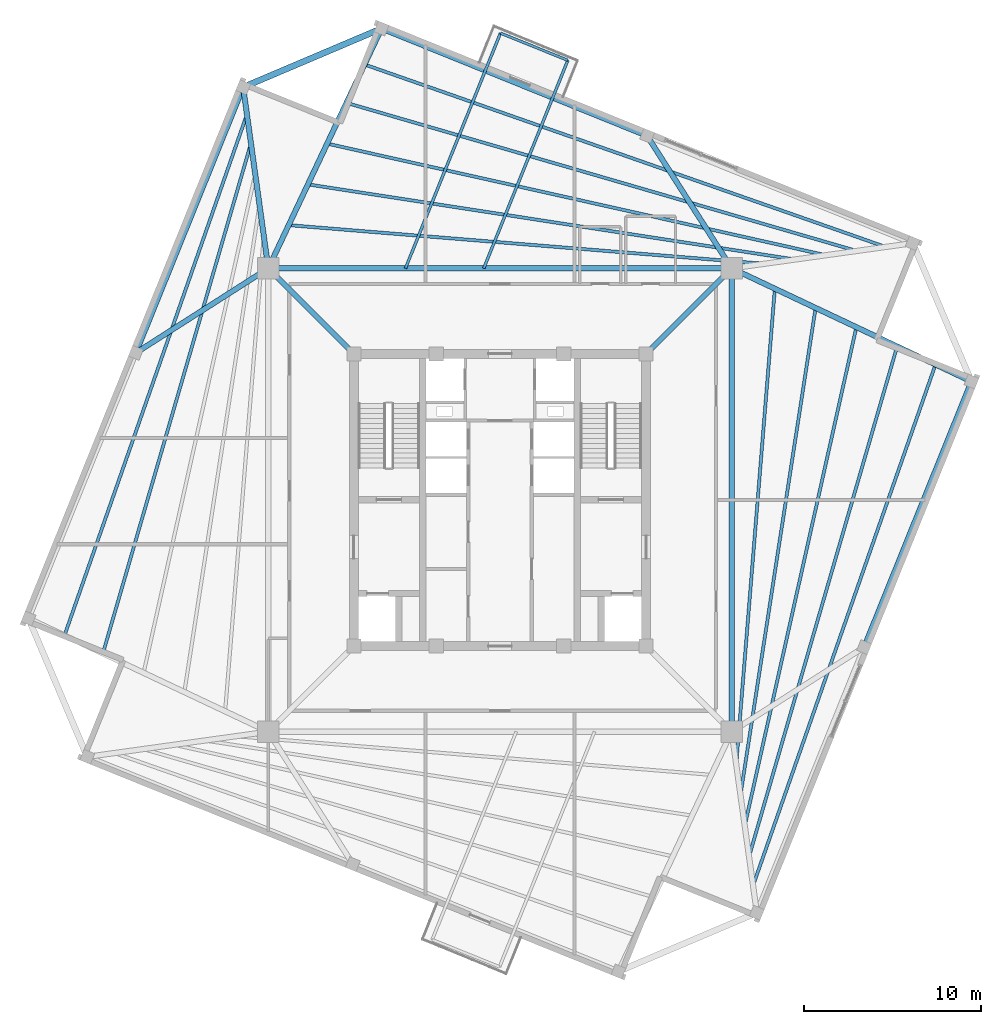
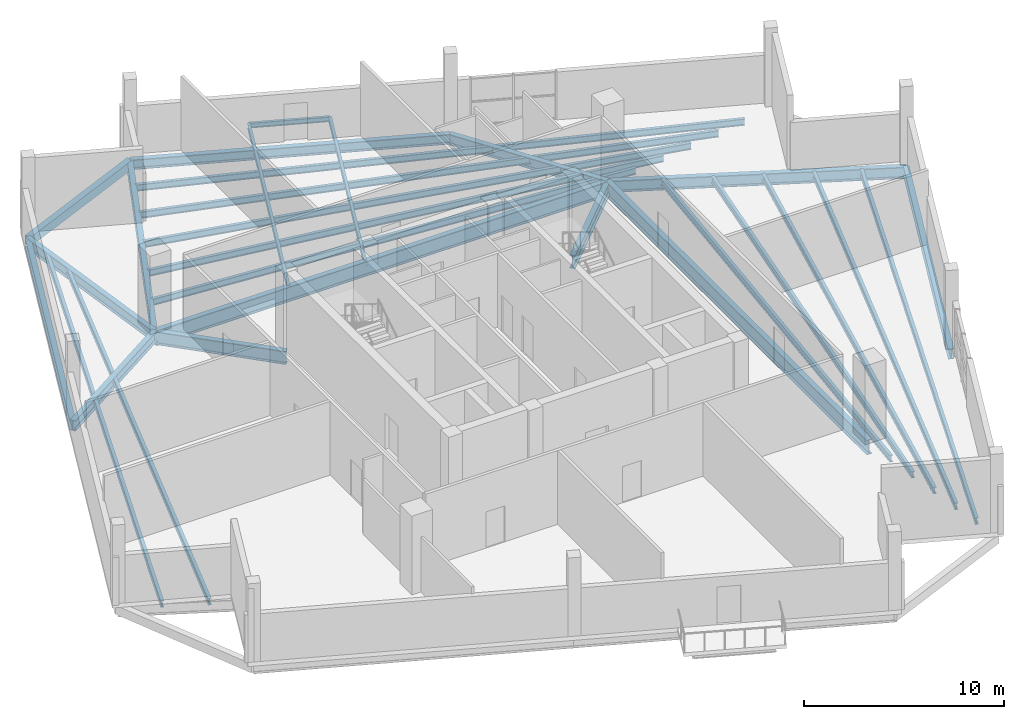
# One storey, part 3 of 9: 28 beams.
"""IFC4 building model written with IfcOpenShell, lengths in metres."""

from ifc_helpers import new_model, si_unit, direction, frame, origin, origin_2d, place, context, subcontext, project, spatial, rectangle, i_section, extrude, source, transform, mapped, material, material_profile, profile_set, type_object, element, save


model = new_model("IFC4")

# Units and contexts
model_context = context("Model", 3, precision=1e-05, world=origin(), true_north=direction((0.0, 1.0)))
body_context = subcontext(model_context, "Body", "Model", "MODEL_VIEW")
ifc_project = project(units=[si_unit("LENGTHUNIT", "METRE"), si_unit("AREAUNIT", "SQUARE_METRE"), si_unit("VOLUMEUNIT", "CUBIC_METRE"), si_unit("PLANEANGLEUNIT", "RADIAN"), si_unit("MASSUNIT", "GRAM", prefix="KILO"), si_unit("THERMODYNAMICTEMPERATUREUNIT", "KELVIN")], contexts=[model_context])

# Site, building, storey
site_placement = place(None, origin())
site = spatial("IfcSite", under=ifc_project, at=site_placement, CompositionType="ELEMENT")
building_placement = place(site_placement, origin())
building = spatial("IfcBuilding", under=site, at=building_placement, Name="Kosmvard Interchange Tower", CompositionType="ELEMENT")
storey_placement = place(building_placement, frame((0.0, 0.0, 316.800048828125)))
storey = spatial("IfcBuildingStorey", under=building, at=storey_placement, Name="L78", CompositionType="ELEMENT", Elevation=316.800048828125)

# Beams
ifc_material_1 = material(Name="Steel S355", Category="steel")
ifc_material_profile_1 = material_profile(ifc_material_1, i_section(OverallWidth=0.14990234375, OverallDepth=0.300048828125, WebThickness=0.007080078125, FlangeThickness=0.0107421875, FilletRadius=0.014892578125, at=origin_2d()), Name="IPE 300")
ifc_profile_set_1 = profile_set([ifc_material_profile_1], Name="Steel S355")
beam_type_1 = type_object("IfcBeamType", Name="Balcony Edge Header Joist IPE 300 S355", PredefinedType="JOIST", material=ifc_profile_set_1)
shared_shape_1 = source(origin(), body_context, "Body", "SweptSolid", [
    extrude(i_section(OverallWidth=0.14990234375, OverallDepth=0.300048828125, WebThickness=0.007080078125, FlangeThickness=0.0107421875, FilletRadius=0.014892578125, at=origin_2d()), origin(), (0.0, 0.0, 1.0), 4.10009765625),
])
beam_1_placement = place(storey_placement, frame((3.827880859375, 24.82373046875, -0.400146484375), z_axis=(-0.927185764791, 0.37460186541, 0.0), x_axis=(-0.37460186541, -0.927185764791, 0.0)))
element("IfcBeam", 1, at=beam_1_placement, inside=storey, type_object=beam_type_1, Name="BM-L78-BJH1", PredefinedType="JOIST", context=body_context, shape_type="MappedRepresentation", body=[
    mapped(shared_shape_1, transform((0.0, 0.0, 0.0), scale=1.0)),
])
ifc_material_profile_2 = material_profile(ifc_material_1, i_section(OverallWidth=0.300048828125, OverallDepth=0.800048828125, WebThickness=0.017578125, FlangeThickness=0.032958984375, FilletRadius=0.027099609375, at=origin_2d()), Name="HEB 800")
ifc_profile_set_2 = profile_set([ifc_material_profile_2], Name="Steel S355")
beam_type_2 = type_object("IfcBeamType", Name="Primary Mega-Frame Girder HEB 800 S355", PredefinedType="BEAM", material=ifc_profile_set_2)
shared_shape_2 = source(origin(), body_context, "Body", "SweptSolid", [
    extrude(i_section(OverallWidth=0.300048828125, OverallDepth=0.800048828125, WebThickness=0.017578125, FlangeThickness=0.032958984375, FilletRadius=0.027099609375, at=origin_2d()), origin(), (0.0, 0.0, 1.0), 6.83203125),
])
for number, where, z_axis, x_axis, name in (
    (2, (8.25, 8.25, -0.650146484375), (0.707106781187, 0.707106781187, 0.0), (-0.707106781187, 0.707106781187, 0.0), "L78 Radial Mega-Frame Girder 3"),
    (3, (-8.25, 8.25, -0.650146484375), (-0.707106781187, 0.707106781187, 0.0), (-0.707106781187, -0.707106781187, 0.0), "L78 Radial Mega-Frame Girder 4"),
):
    element("IfcBeam", number, at=place(storey_placement, frame(where, z_axis=z_axis, x_axis=x_axis)), inside=storey, type_object=beam_type_2, Name=name, PredefinedType="BEAM", context=body_context, shape_type="MappedRepresentation", body=[
        mapped(shared_shape_2, transform((0.0, 0.0, 0.0), scale=1.0)),
    ])
ifc_material_profile_3 = material_profile(ifc_material_1, i_section(OverallWidth=0.300048828125, OverallDepth=0.89990234375, WebThickness=0.0185546875, FlangeThickness=0.034912109375, FilletRadius=0.030029296875, at=origin_2d()), Name="HEB 900")
ifc_profile_set_3 = profile_set([ifc_material_profile_3], Name="Steel S355")
beam_type_3 = type_object("IfcBeamType", Name="Mega-Column Ring Girder HEB 900 S355", PredefinedType="BEAM", material=ifc_profile_set_3)
shared_shape_3 = source(origin(), body_context, "Body", "SweptSolid", [
    extrude(i_section(OverallWidth=0.300048828125, OverallDepth=0.89990234375, WebThickness=0.0185546875, FlangeThickness=0.034912109375, FilletRadius=0.030029296875, at=origin_2d()), origin(), (0.0, 0.0, 1.0), 26.162109375),
])
for number, where, z_axis, x_axis, name in (
    (4, (13.0810546875, -13.0810546875, -0.699951171875), (0.0, 1.0, 0.0), (-1.0, 0.0, 0.0), "L78 Mega-Column Ring Girder 2"),
    (5, (13.0810546875, 13.0810546875, -0.699951171875), (-1.0, 0.0, 0.0), (0.0, -1.0, 0.0), "L78 Mega-Column Ring Girder 3"),
):
    element("IfcBeam", number, at=place(storey_placement, frame(where, z_axis=z_axis, x_axis=x_axis)), inside=storey, type_object=beam_type_3, Name=name, PredefinedType="BEAM", context=body_context, shape_type="MappedRepresentation", body=[
        mapped(shared_shape_3, transform((0.0, 0.0, 0.0), scale=1.0)),
    ])
ifc_material_profile_4 = material_profile(ifc_material_1, i_section(OverallWidth=0.300048828125, OverallDepth=0.60009765625, WebThickness=0.015380859375, FlangeThickness=0.030029296875, FilletRadius=0.027099609375, at=origin_2d()), Name="HEB 600")
ifc_profile_set_4 = profile_set([ifc_material_profile_4], Name="Steel S355")
beam_type_4 = type_object("IfcBeamType", Name="Perimeter Tie Girder HEB 600 S355", PredefinedType="BEAM", material=ifc_profile_set_4)
shared_shape_4 = source(origin(), body_context, "Body", "SweptSolid", [
    extrude(i_section(OverallWidth=0.300048828125, OverallDepth=0.60009765625, WebThickness=0.015380859375, FlangeThickness=0.030029296875, FilletRadius=0.027099609375, at=origin_2d()), origin(), (0.0, 0.0, 1.0), 16.175048828125),
])
beam_2_placement = place(storey_placement, frame((-14.5009765625, 23.30419921875, -0.550048828125), z_axis=(-0.374607540279, -0.927183472009, 0.0), x_axis=(0.927183472009, -0.374607540279, 0.0)))
element("IfcBeam", 6, at=beam_2_placement, inside=storey, type_object=beam_type_4, Name="BM-L78-PR07", PredefinedType="BEAM", context=body_context, shape_type="MappedRepresentation", body=[
    mapped(shared_shape_4, transform((0.0, 0.0, 0.0), scale=1.0)),
])
ifc_material_profile_5 = material_profile(ifc_material_1, i_section(OverallWidth=0.300048828125, OverallDepth=0.64990234375, WebThickness=0.01611328125, FlangeThickness=0.031005859375, FilletRadius=0.027099609375, at=origin_2d()), Name="HEB 650")
ifc_profile_set_5 = profile_set([ifc_material_profile_5], Name="Steel S355")
beam_type_5 = type_object("IfcBeamType", Name="Primary Floor Girder HEB 650 S355", PredefinedType="BEAM", material=ifc_profile_set_5)
shared_shape_5 = source(origin(), body_context, "Body", "SweptSolid", [
    extrude(i_section(OverallWidth=0.300048828125, OverallDepth=0.64990234375, WebThickness=0.01611328125, FlangeThickness=0.031005859375, FilletRadius=0.027099609375, at=origin_2d()), origin(), (0.0, 0.0, 1.0), 10.3212890625),
])
beam_3_placement = place(storey_placement, frame((-13.0810546875, 13.0810546875, -0.574951171875), z_axis=(-0.137572239014, 0.990491735984, 0.0), x_axis=(-0.990491735984, -0.137572239014, 0.0)))
element("IfcBeam", 7, at=beam_3_placement, inside=storey, type_object=beam_type_5, Name="BM-L78-RD07", PredefinedType="BEAM", context=body_context, shape_type="MappedRepresentation", body=[
    mapped(shared_shape_5, transform((0.0, 0.0, 0.0), scale=1.0)),
])
shared_shape_6 = source(origin(), body_context, "Body", "SweptSolid", [
    extrude(i_section(OverallWidth=0.300048828125, OverallDepth=0.60009765625, WebThickness=0.015380859375, FlangeThickness=0.030029296875, FilletRadius=0.027099609375, at=origin_2d()), origin(), (0.0, 0.0, 1.0), 16.1748046875),
])
for number, where, z_axis, x_axis, name in (
    (8, (20.560302734375, -8.306884765625, -0.550048828125), (0.374612782798, 0.92718135387, 0.0), (-0.92718135387, 0.374612782798, 0.0), "BM-L78-PR02"),
    (9, (8.306884765625, 20.560302734375, -0.550048828125), (-0.92718135387, 0.374612782798, 0.0), (-0.374612782798, -0.92718135387, 0.0), "BM-L78-PR05"),
):
    element("IfcBeam", number, at=place(storey_placement, frame(where, z_axis=z_axis, x_axis=x_axis)), inside=storey, type_object=beam_type_4, Name=name, PredefinedType="BEAM", context=body_context, shape_type="MappedRepresentation", body=[
        mapped(shared_shape_6, transform((0.0, 0.0, 0.0), scale=1.0)),
    ])
shared_shape_7 = source(origin(), body_context, "Body", "SweptSolid", [
    extrude(i_section(OverallWidth=0.300048828125, OverallDepth=0.64990234375, WebThickness=0.01611328125, FlangeThickness=0.031005859375, FilletRadius=0.027099609375, at=origin_2d()), origin(), (0.0, 0.0, 1.0), 8.873046875),
])
for number, where, z_axis, x_axis, name in (
    (10, (13.0810546875, 13.0810546875, -0.574951171875), (-0.538050011119, 0.842912916934, 0.0), (-0.842912916934, -0.538050011119, 0.0), "BM-L78-RD05"),
    (11, (-13.0810546875, 13.0810546875, -0.574951171875), (-0.842912916934, -0.538050011119, 0.0), (0.538050011119, -0.842912916934, 0.0), "BM-L78-RD08"),
):
    element("IfcBeam", number, at=place(storey_placement, frame(where, z_axis=z_axis, x_axis=x_axis)), inside=storey, type_object=beam_type_5, Name=name, PredefinedType="BEAM", context=body_context, shape_type="MappedRepresentation", body=[
        mapped(shared_shape_7, transform((0.0, 0.0, 0.0), scale=1.0)),
    ])
ifc_material_2 = material(Name="Precast concrete C45/55", Category="concrete")
ifc_material_profile_6 = material_profile(ifc_material_2, rectangle(XDim=0.35009765625, YDim=0.550048828125, at=origin_2d()), Name="SL 350x550")
ifc_profile_set_6 = profile_set([ifc_material_profile_6], Name="Precast concrete C45/55")
beam_type_6 = type_object("IfcBeamType", Name="Precast Spandrel Lintel 350x550 C45/55", PredefinedType="LINTEL", material=ifc_profile_set_6)
shared_shape_8 = source(origin(), body_context, "Body", "SweptSolid", [
    extrude(rectangle(XDim=0.35009765625, YDim=0.550048828125, at=origin_2d()), origin(), (0.0, 0.0, 1.0), 8.4853515625),
])
beam_4_placement = place(storey_placement, frame((-6.690185546875, 26.61962890625, -0.525146484375), z_axis=(-0.920507159025, -0.390725696857, 0.0), x_axis=(0.390725696857, -0.920507159025, 0.0)))
element("IfcBeam", 12, at=beam_4_placement, inside=storey, type_object=beam_type_6, Name="BM-L78-SL2", PredefinedType="LINTEL", context=body_context, shape_type="MappedRepresentation", body=[
    mapped(shared_shape_8, transform((0.0, 0.0, 0.0), scale=1.0)),
])
ifc_material_profile_7 = material_profile(ifc_material_1, i_section(OverallWidth=0.300048828125, OverallDepth=0.699951171875, WebThickness=0.01708984375, FlangeThickness=0.031982421875, FilletRadius=0.027099609375, at=origin_2d()), Name="HEB 700")
ifc_profile_set_7 = profile_set([ifc_material_profile_7], Name="Steel S355")
beam_type_7 = type_object("IfcBeamType", Name="Primary Floor Girder HEB 700 S355", PredefinedType="BEAM", material=ifc_profile_set_7)
shared_shape_9 = source(origin(), body_context, "Body", "SweptSolid", [
    extrude(i_section(OverallWidth=0.300048828125, OverallDepth=0.699951171875, WebThickness=0.01708984375, FlangeThickness=0.031982421875, FilletRadius=0.027099609375, at=origin_2d()), origin(), (0.0, 0.0, 1.0), 14.97119140625),
])
for number, where, z_axis, x_axis, name in (
    (13, (13.0810546875, 13.0810546875, -0.60009765625), (0.904309155001, -0.426878146761, 0.0), (0.426878146761, 0.904309155001, 0.0), "BM-L78-RD03"),
    (14, (-13.0810546875, 13.0810546875, -0.60009765625), (0.426878146761, 0.904309155001, 0.0), (-0.904309155001, 0.426878146761, 0.0), "BM-L78-RD06"),
):
    element("IfcBeam", number, at=place(storey_placement, frame(where, z_axis=z_axis, x_axis=x_axis)), inside=storey, type_object=beam_type_7, Name=name, PredefinedType="BEAM", context=body_context, shape_type="MappedRepresentation", body=[
        mapped(shared_shape_9, transform((0.0, 0.0, 0.0), scale=1.0)),
    ])
ifc_material_profile_8 = material_profile(ifc_material_1, i_section(OverallWidth=0.179931640625, OverallDepth=0.39990234375, WebThickness=0.008544921875, FlangeThickness=0.013427734375, FilletRadius=0.02099609375, at=origin_2d()), Name="IPE 400")
ifc_profile_set_8 = profile_set([ifc_material_profile_8], Name="Steel S355")
beam_type_8 = type_object("IfcBeamType", Name="Upper-Zone Floor Joist IPE 400 S355", PredefinedType="JOIST", material=ifc_profile_set_8)
shared_shape_10 = source(origin(), body_context, "Body", "SweptSolid", [
    extrude(i_section(OverallWidth=0.179931640625, OverallDepth=0.39990234375, WebThickness=0.008544921875, FlangeThickness=0.013427734375, FilletRadius=0.02099609375, at=origin_2d()), origin(), (0.0, 0.0, 1.0), 26.780029296875),
])
for number, where, z_axis, x_axis, name in (
    (15, (13.343017578125, -14.84130859375, -0.449951171875), (0.080972773487, 0.996716313679, 0.0), (-0.996716313679, 0.080972773487, 0.0), "BM-L78-FJ01"),
    (16, (14.84130859375, 13.343017578125, -0.449951171875), (-0.996716313679, 0.080972773487, 0.0), (-0.080972773487, -0.996716313679, 0.0), "BM-L78-FJ06"),
):
    element("IfcBeam", number, at=place(storey_placement, frame(where, z_axis=z_axis, x_axis=x_axis)), inside=storey, type_object=beam_type_8, Name=name, PredefinedType="JOIST", context=body_context, shape_type="MappedRepresentation", body=[
        mapped(shared_shape_10, transform((0.0, 0.0, 0.0), scale=1.0)),
    ])
shared_shape_11 = source(origin(), body_context, "Body", "SweptSolid", [
    extrude(i_section(OverallWidth=0.179931640625, OverallDepth=0.39990234375, WebThickness=0.008544921875, FlangeThickness=0.013427734375, FilletRadius=0.02099609375, at=origin_2d()), origin(), (0.0, 0.0, 1.0), 27.66845703125),
])
for number, where, z_axis, x_axis, name in (
    (17, (13.590087890625, -16.580078125, -0.449951171875), (0.152421855854, 0.988315525456, 0.0), (-0.988315525456, 0.152421855854, 0.0), "BM-L78-FJ02"),
    (18, (16.580078125, 13.590087890625, -0.449951171875), (-0.988315525456, 0.152421855854, 0.0), (-0.152421855854, -0.988315525456, 0.0), "BM-L78-FJ07"),
):
    element("IfcBeam", number, at=place(storey_placement, frame(where, z_axis=z_axis, x_axis=x_axis)), inside=storey, type_object=beam_type_8, Name=name, PredefinedType="JOIST", context=body_context, shape_type="MappedRepresentation", body=[
        mapped(shared_shape_11, transform((0.0, 0.0, 0.0), scale=1.0)),
    ])
shared_shape_12 = source(origin(), body_context, "Body", "SweptSolid", [
    extrude(i_section(OverallWidth=0.179931640625, OverallDepth=0.39990234375, WebThickness=0.008544921875, FlangeThickness=0.013427734375, FilletRadius=0.02099609375, at=origin_2d()), origin(), (0.0, 0.0, 1.0), 28.691162109375),
])
for number, where, z_axis, x_axis, name in (
    (19, (13.8369140625, -18.31884765625, -0.449951171875), (0.218415018158, 0.975855972899, 0.0), (-0.975855972899, 0.218415018158, 0.0), "BM-L78-FJ03"),
    (20, (18.31884765625, 13.8369140625, -0.449951171875), (-0.975855972899, 0.218415018158, 0.0), (-0.218415018158, -0.975855972899, 0.0), "BM-L78-FJ08"),
):
    element("IfcBeam", number, at=place(storey_placement, frame(where, z_axis=z_axis, x_axis=x_axis)), inside=storey, type_object=beam_type_8, Name=name, PredefinedType="JOIST", context=body_context, shape_type="MappedRepresentation", body=[
        mapped(shared_shape_12, transform((0.0, 0.0, 0.0), scale=1.0)),
    ])
shared_shape_13 = source(origin(), body_context, "Body", "SweptSolid", [
    extrude(i_section(OverallWidth=0.179931640625, OverallDepth=0.39990234375, WebThickness=0.008544921875, FlangeThickness=0.013427734375, FilletRadius=0.02099609375, at=origin_2d()), origin(), (0.0, 0.0, 1.0), 29.83544921875),
])
for number, where, z_axis, x_axis, name in (
    (21, (14.0830078125, -20.05810546875, -0.449951171875), (0.27877586881, 0.960356191717, 0.0), (-0.960356191717, 0.27877586881, 0.0), "BM-L78-FJ04"),
    (22, (20.05810546875, 14.0830078125, -0.449951171875), (-0.960356191717, 0.27877586881, 0.0), (-0.27877586881, -0.960356191717, 0.0), "BM-L78-FJ09"),
    (23, (-14.0830078125, 20.05810546875, -0.449951171875), (-0.27877586881, -0.960356191717, 0.0), (0.960356191717, -0.27877586881, 0.0), "BM-L78-FJ14"),
):
    element("IfcBeam", number, at=place(storey_placement, frame(where, z_axis=z_axis, x_axis=x_axis)), inside=storey, type_object=beam_type_8, Name=name, PredefinedType="JOIST", context=body_context, shape_type="MappedRepresentation", body=[
        mapped(shared_shape_13, transform((0.0, 0.0, 0.0), scale=1.0)),
    ])
shared_shape_14 = source(origin(), body_context, "Body", "SweptSolid", [
    extrude(i_section(OverallWidth=0.179931640625, OverallDepth=0.39990234375, WebThickness=0.008544921875, FlangeThickness=0.013427734375, FilletRadius=0.02099609375, at=origin_2d()), origin(), (0.0, 0.0, 1.0), 31.0107421875),
])
for number, where, z_axis, x_axis, name in (
    (24, (14.314453125, -21.695068359375, -0.449951171875), (0.330459834828, 0.943820055713, 0.0), (-0.943820055713, 0.330459834828, 0.0), "BM-L78-FJ05"),
    (25, (21.695068359375, 14.314453125, -0.449951171875), (-0.943820055713, 0.330459834828, 0.0), (-0.330459834828, -0.943820055713, 0.0), "BM-L78-FJ10"),
    (26, (-14.314453125, 21.695068359375, -0.449951171875), (-0.330459834828, -0.943820055713, 0.0), (0.943820055713, -0.330459834828, 0.0), "BM-L78-FJ15"),
):
    element("IfcBeam", number, at=place(storey_placement, frame(where, z_axis=z_axis, x_axis=x_axis)), inside=storey, type_object=beam_type_8, Name=name, PredefinedType="JOIST", context=body_context, shape_type="MappedRepresentation", body=[
        mapped(shared_shape_14, transform((0.0, 0.0, 0.0), scale=1.0)),
    ])
ifc_material_profile_9 = material_profile(ifc_material_1, i_section(OverallWidth=0.159912109375, OverallDepth=0.330078125, WebThickness=0.007568359375, FlangeThickness=0.011474609375, FilletRadius=0.01806640625, at=origin_2d()), Name="IPE 330")
ifc_profile_set_9 = profile_set([ifc_material_profile_9], Name="Steel S355")
beam_type_9 = type_object("IfcBeamType", Name="Balcony Cantilever Joist IPE 330 S355", PredefinedType="JOIST", material=ifc_profile_set_9)
shared_shape_15 = source(origin(), body_context, "Body", "SweptSolid", [
    extrude(i_section(OverallWidth=0.159912109375, OverallDepth=0.330078125, WebThickness=0.007568359375, FlangeThickness=0.011474609375, FilletRadius=0.01806640625, at=origin_2d()), origin(), (0.0, 0.0, 1.0), 12.664794921875),
])
beam_5_placement = place(storey_placement, frame((-0.91650390625, 13.0810546875, -0.4150390625), z_axis=(0.374609022674, 0.927182873079, 0.0), x_axis=(-0.927182873079, 0.374609022674, 0.0)))
element("IfcBeam", 27, at=beam_5_placement, inside=storey, type_object=beam_type_9, Name="BM-L78-BJ1", PredefinedType="JOIST", context=body_context, shape_type="MappedRepresentation", body=[
    mapped(shared_shape_15, transform((0.0, 0.0, 0.0), scale=1.0)),
])
shared_shape_16 = source(origin(), body_context, "Body", "SweptSolid", [
    extrude(i_section(OverallWidth=0.159912109375, OverallDepth=0.330078125, WebThickness=0.007568359375, FlangeThickness=0.011474609375, FilletRadius=0.01806640625, at=origin_2d()), origin(), (0.0, 0.0, 1.0), 14.321533203125),
])
beam_6_placement = place(storey_placement, frame((-5.338623046875, 13.0810546875, -0.4150390625), z_axis=(0.374612713374, 0.92718138192, 0.0), x_axis=(-0.92718138192, 0.374612713374, 0.0)))
element("IfcBeam", 28, at=beam_6_placement, inside=storey, type_object=beam_type_9, Name="BM-L78-BJB1", PredefinedType="JOIST", context=body_context, shape_type="MappedRepresentation", body=[
    mapped(shared_shape_16, transform((0.0, 0.0, 0.0), scale=1.0)),
])

save(model, "model.ifc")
